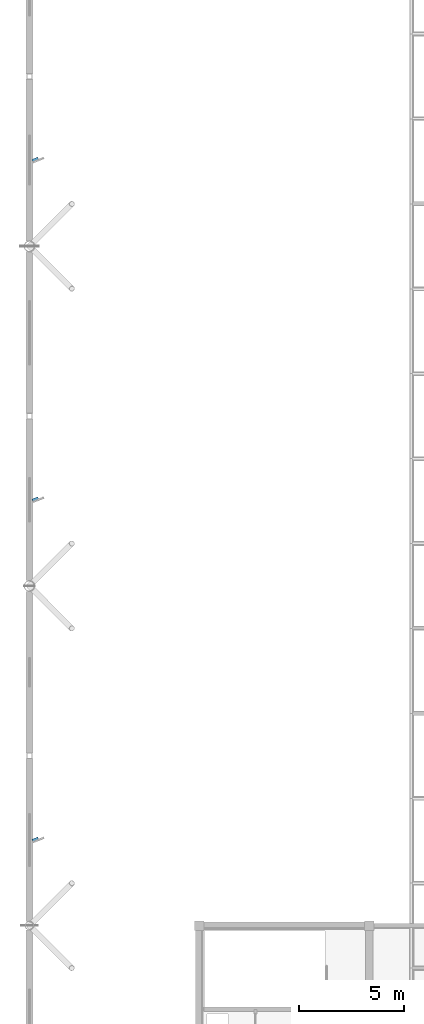
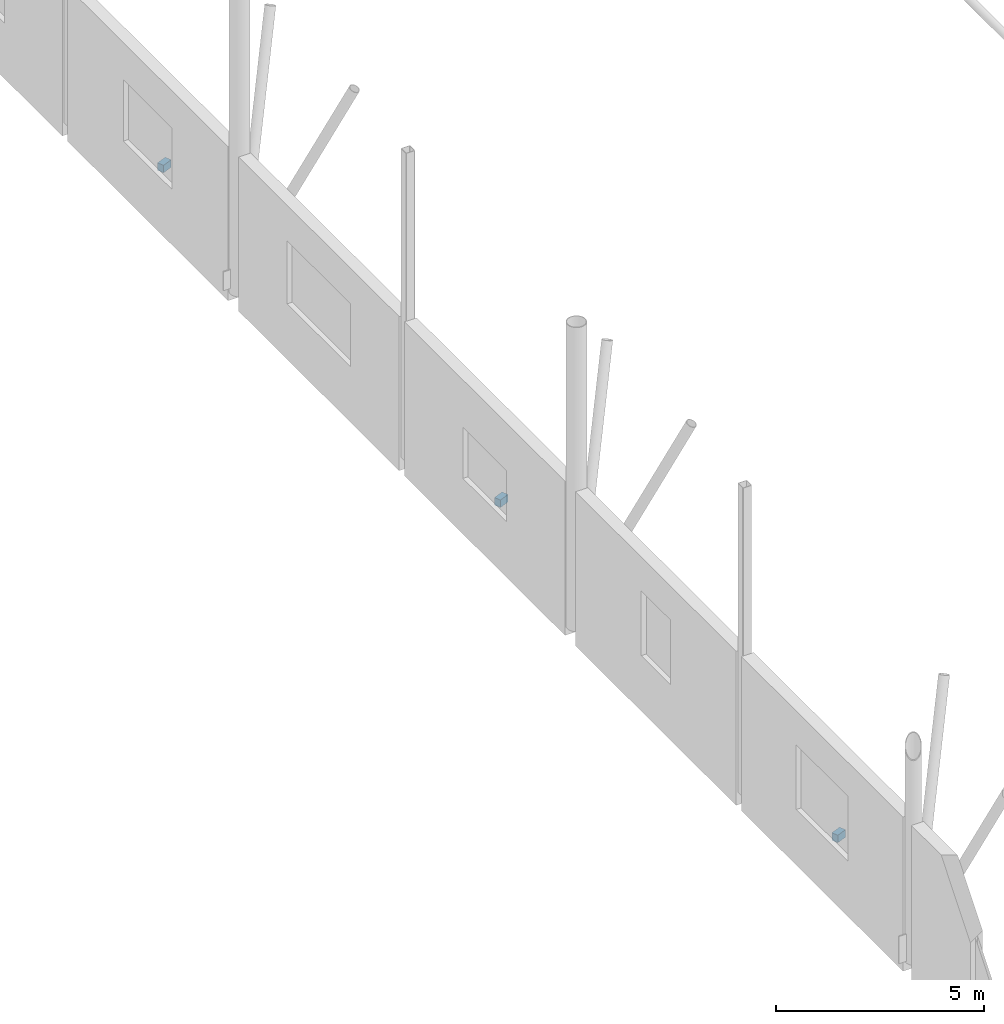
# One storey, part 77 of 89: 3 discrete accessories.
"""IFC4 building model written with IfcOpenShell, lengths in metres."""

from ifc_helpers import new_model, si_unit, direction, frame, origin, origin_2d, place, context, subcontext, project, spatial, rectangle, extrude, material, type_object, element, save


model = new_model("IFC4")

# Units and contexts
model_context = context("Model", 3, precision=1e-05, world=origin(), true_north=direction((0.0, 1.0)))
body_context = subcontext(model_context, "Body", "Model", "MODEL_VIEW")
ifc_project = project(units=[si_unit("LENGTHUNIT", "METRE"), si_unit("AREAUNIT", "SQUARE_METRE"), si_unit("VOLUMEUNIT", "CUBIC_METRE"), si_unit("PLANEANGLEUNIT", "RADIAN"), si_unit("MASSUNIT", "GRAM", prefix="KILO")], contexts=[model_context])

# Site, building, storey
site_placement = place(None, origin())
site = spatial("IfcSite", under=ifc_project, at=site_placement, CompositionType="ELEMENT")
building_placement = place(site_placement, origin())
building = spatial("IfcBuilding", under=site, at=building_placement, Name="Vaudrelin Polytechnic", CompositionType="ELEMENT")
storey_placement = place(building_placement, frame((0.0, 0.0, 9.68994140625)))
storey = spatial("IfcBuildingStorey", under=building, at=storey_placement, Name="L02", CompositionType="ELEMENT", Elevation=9.68994140625)

# Discrete accessories
ifc_material = material(Name="Galvanised steel CSA G40.21 350W", Category="steel")
discrete_accessory_type = type_object("IfcDiscreteAccessoryType", Name="ENV-BRK-01", PredefinedType="BRACKET", material=ifc_material)
for number, where, z_axis, x_axis, name in (
    (1, (0.2900390625, 52.68798828125, 0.990234375), (0.0, 0.0, 1.0), (0.927183854567, 0.374606593416, 0.0), "Solar fin support bracket BRK-020"),
    (2, (0.2900390625, 68.91357421875, 0.990234375), (0.0, 0.0, 1.0), (0.927183854567, 0.374606593416, 0.0), "Solar fin support bracket BRK-021"),
    (3, (0.2900390625, 85.113525390625, 0.990234375), (0.0, 0.0, 1.0), (0.927183854567, 0.374606593416, 0.0), "Solar fin support bracket BRK-022"),
):
    element("IfcDiscreteAccessory", number, at=place(storey_placement, frame(where, z_axis=z_axis, x_axis=x_axis)), inside=storey, type_object=discrete_accessory_type, Name=name, PredefinedType="BRACKET", context=body_context, shape_type="SweptSolid", body=[
        extrude(rectangle(XDim=0.300048828125, YDim=0.179931640625, at=origin_2d()), origin(), (0.0, 0.0, 1.0), 0.219970703125),
    ])

save(model, "model.ifc")
